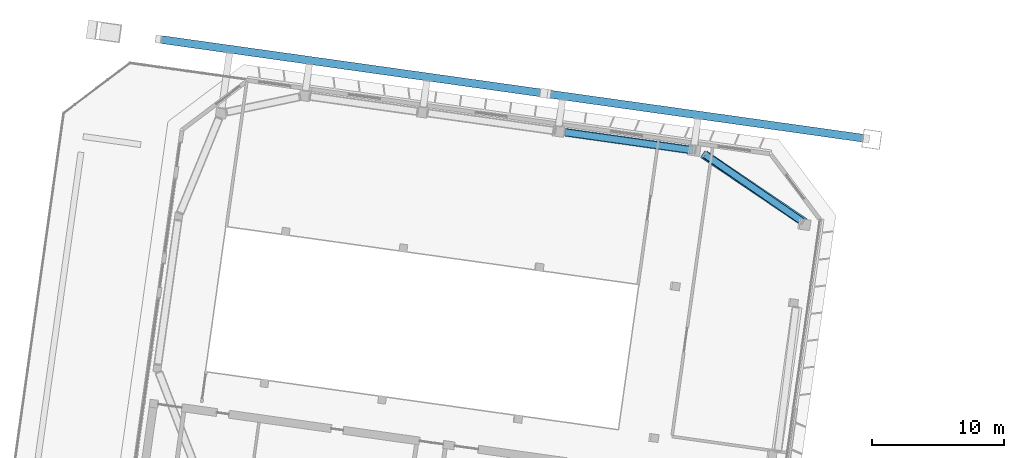
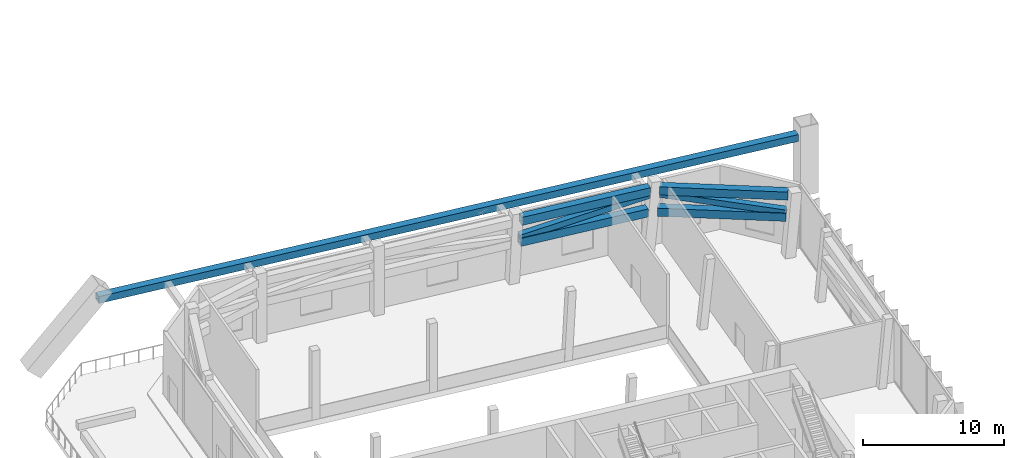
# One storey, part 7 of 29: 7 members.
"""IFC4 building model written with IfcOpenShell, lengths in metres."""

from ifc_helpers import new_model, si_unit, direction, frame, origin, origin_2d, place, context, subcontext, project, spatial, hollow_rectangle, extrude, material, material_profile, profile_set, type_object, element, save


model = new_model("IFC4")

# Units and contexts
model_context = context("Model", 3, precision=1e-05, world=origin(), true_north=direction((0.0, 1.0)))
body_context = subcontext(model_context, "Body", "Model", "MODEL_VIEW")
ifc_project = project(units=[si_unit("LENGTHUNIT", "METRE"), si_unit("AREAUNIT", "SQUARE_METRE"), si_unit("VOLUMEUNIT", "CUBIC_METRE"), si_unit("PLANEANGLEUNIT", "RADIAN"), si_unit("MASSUNIT", "GRAM", prefix="KILO")], contexts=[model_context])

# Site, building, storey
site_placement = place(None, origin())
site = spatial("IfcSite", under=ifc_project, at=site_placement, CompositionType="ELEMENT")
building_placement = place(site_placement, origin())
building = spatial("IfcBuilding", under=site, at=building_placement, Name="Mirante Cascada Hotel Towers", CompositionType="ELEMENT")
storey_placement = place(building_placement, frame((0.0, 0.0, 210.6)))
storey = spatial("IfcBuildingStorey", under=building, at=storey_placement, Name="L50", CompositionType="ELEMENT", Elevation=210.6)

# Members
ifc_material_1 = material(Name="Steel ASTM A572 Gr 50", Category="steel")
ifc_material_profile_1 = material_profile(ifc_material_1, hollow_rectangle(XDim=0.6, YDim=0.6, WallThickness=0.04, at=origin_2d()), Name="Box chord 600x600x40 ASTM A572 Gr 50")
ifc_profile_set_1 = profile_set([ifc_material_profile_1], Name="Steel ASTM A572 Gr 50")
member_type_1 = type_object("IfcMemberType", Name="Box chord 600x600x40 ASTM A572 Gr 50", PredefinedType="CHORD", material=ifc_profile_set_1)
member_1_placement = place(storey_placement, frame((-20.8232, 17.9167, 4.85), z_axis=(-0.9902682, 0.1391723, 0.0), x_axis=(-0.1391723, -0.9902682, 0.0)))
element("IfcMember", 1, at=member_1_placement, inside=storey, type_object=member_type_1, Name="exochord T1 L50 1", PredefinedType="CHORD", context=body_context, shape_type="SweptSolid", body=[
    extrude(hollow_rectangle(XDim=0.6, YDim=0.6, WallThickness=0.04, at=origin_2d()), origin(), (0.0, 0.0, 1.0), 53.6917),
])
ifc_material_2 = material(Name="Steel ASTM A572 Gr 50", Category="steel")
ifc_material_profile_2 = material_profile(ifc_material_2, hollow_rectangle(XDim=0.6, YDim=0.7, WallThickness=0.05, at=origin_2d()), Name="Box chord 700x600x50 ASTM A572 Gr 50")
ifc_profile_set_2 = profile_set([ifc_material_profile_2], Name="Steel ASTM A572 Gr 50")
member_type_2 = type_object("IfcMemberType", Name="Box chord 700x600x50 ASTM A572 Gr 50", PredefinedType="CHORD", material=ifc_profile_set_2)
member_2_placement = place(storey_placement, frame((-25.2137, 11.5529, 5.2), z_axis=(-0.8281337, 0.5605307, 0.0), x_axis=(-0.5605307, -0.8281337, 0.0)))
element("IfcMember", 2, at=member_2_placement, inside=storey, type_object=member_type_2, Name="belt T1 L50 1", PredefinedType="CHORD", context=body_context, shape_type="SweptSolid", body=[
    extrude(hollow_rectangle(XDim=0.6, YDim=0.7, WallThickness=0.05, at=origin_2d()), origin(), (0.0, 0.0, 1.0), 9.1531),
])
member_3_placement = place(storey_placement, frame((-25.3676, 11.574, 3.4), z_axis=(-0.8286913, 0.5597059, 0.0), x_axis=(-0.5597059, -0.8286913, 0.0)))
element("IfcMember", 3, at=member_3_placement, inside=storey, type_object=member_type_2, Name="belt T1 L50 2", PredefinedType="CHORD", context=body_context, shape_type="SweptSolid", body=[
    extrude(hollow_rectangle(XDim=0.6, YDim=0.7, WallThickness=0.05, at=origin_2d()), origin(), (0.0, 0.0, 1.0), 9.1741),
])
member_4_placement = place(storey_placement, frame((-33.5223, 16.9749, 5.2), z_axis=(-0.9902685, 0.1391703, 0.0), x_axis=(-0.1391703, -0.9902685, 0.0)))
element("IfcMember", 4, at=member_4_placement, inside=storey, type_object=member_type_2, Name="belt T1 L50 4", PredefinedType="CHORD", context=body_context, shape_type="SweptSolid", body=[
    extrude(hollow_rectangle(XDim=0.6, YDim=0.7, WallThickness=0.05, at=origin_2d()), origin(), (0.0, 0.0, 1.0), 9.8656),
])
member_5_placement = place(storey_placement, frame((-33.6988, 16.9997, 3.4), z_axis=(-0.9902683, 0.1391713, 0.0), x_axis=(-0.1391713, -0.9902683, 0.0)))
element("IfcMember", 5, at=member_5_placement, inside=storey, type_object=member_type_2, Name="belt T1 L50 5", PredefinedType="CHORD", context=body_context, shape_type="SweptSolid", body=[
    extrude(hollow_rectangle(XDim=0.6, YDim=0.7, WallThickness=0.05, at=origin_2d()), origin(), (0.0, 0.0, 1.0), 9.7764),
])
ifc_material_3 = material(Name="Steel ASTM A572 Gr 50", Category="steel")
ifc_material_profile_3 = material_profile(ifc_material_3, hollow_rectangle(XDim=0.5, YDim=0.5, WallThickness=0.035, at=origin_2d()), Name="Box diagonal 500x500x35 ASTM A572 Gr 50")
ifc_profile_set_3 = profile_set([ifc_material_profile_3], Name="Steel ASTM A572 Gr 50")
member_type_3 = type_object("IfcMemberType", Name="Box diagonal 500x500x35 ASTM A572 Gr 50", PredefinedType="BRACE", material=ifc_profile_set_3)
member_6_placement = place(storey_placement, frame((-25.3676, 11.574, 3.75), z_axis=(-0.8177654, 0.5626604, 0.1211325), x_axis=(-0.5668343, -0.8238318, 0.0)))
element("IfcMember", 6, at=member_6_placement, inside=storey, type_object=member_type_3, Name="belt T1 L50 3", PredefinedType="BRACE", context=body_context, shape_type="SweptSolid", body=[
    extrude(hollow_rectangle(XDim=0.5, YDim=0.5, WallThickness=0.035, at=origin_2d()), origin(), (0.0, 0.0, 1.0), 9.081),
])
member_7_placement = place(storey_placement, frame((-33.5223, 16.9749, 4.85), z_axis=(-0.9842774, 0.1383288, -0.1098323), x_axis=(-0.1391708, -0.9902684, 0.0)))
element("IfcMember", 7, at=member_7_placement, inside=storey, type_object=member_type_3, Name="belt T1 L50 6", PredefinedType="BRACE", context=body_context, shape_type="SweptSolid", body=[
    extrude(hollow_rectangle(XDim=0.5, YDim=0.5, WallThickness=0.035, at=origin_2d()), origin(), (0.0, 0.0, 1.0), 10.0153),
])

save(model, "model.ifc")
